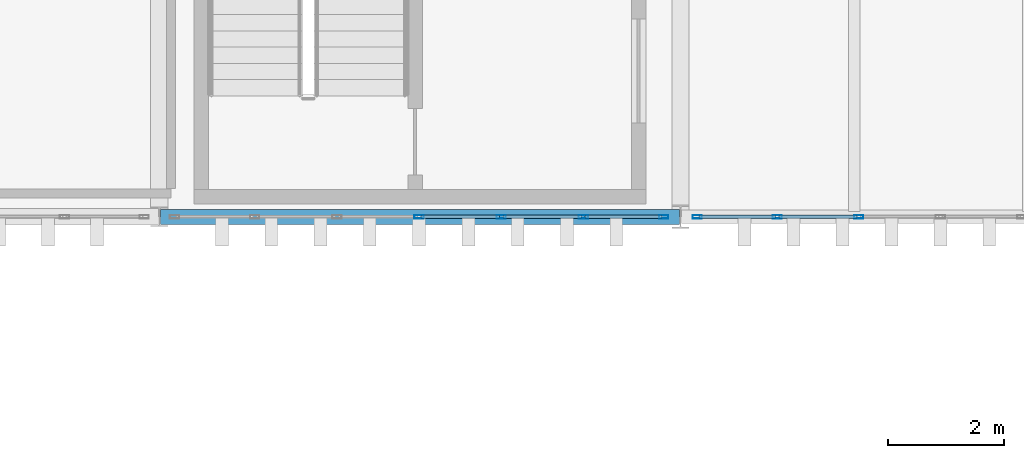
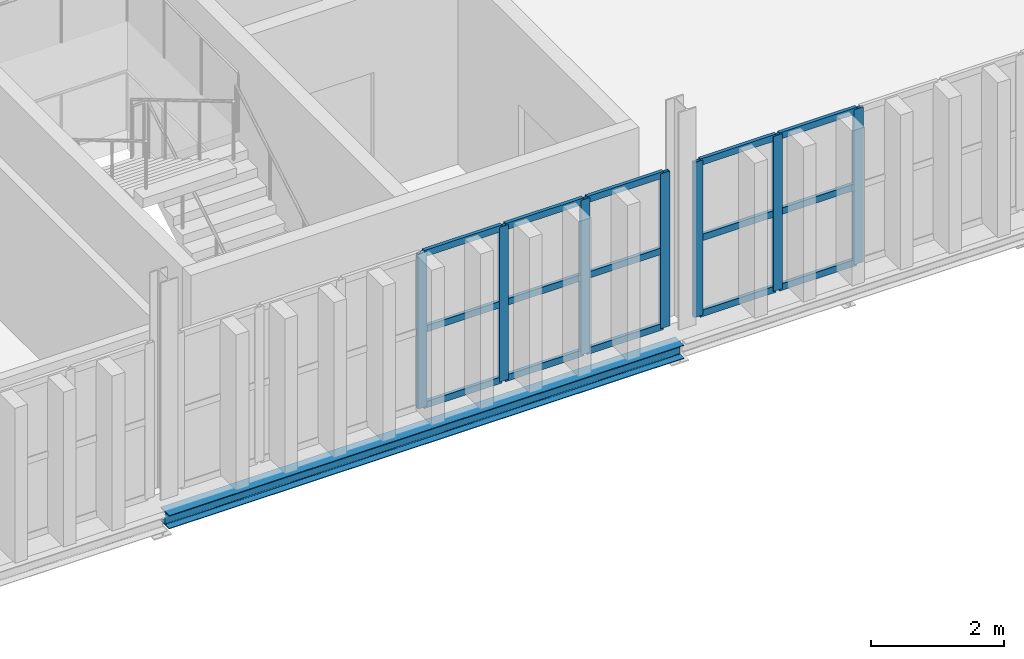
# One storey, part 59 of 102: 22 members, 1 beam, 2 elements without a shape of their own.
"""IFC4 building model written with IfcOpenShell, lengths in metres."""

from ifc_helpers import new_model, si_unit, direction, frame, origin, origin_2d, place, context, subcontext, project, spatial, hollow_rectangle, i_section, extrude, material, layer, layer_set, material_profile, profile_set, type_object, element, aggregate, save


model = new_model("IFC4")

# Units and contexts
model_context = context("Model", 3, precision=1e-05, world=origin(), true_north=direction((0.0, 1.0)))
body_context = subcontext(model_context, "Body", "Model", "MODEL_VIEW")
ifc_project = project(units=[si_unit("LENGTHUNIT", "METRE"), si_unit("AREAUNIT", "SQUARE_METRE"), si_unit("VOLUMEUNIT", "CUBIC_METRE"), si_unit("PLANEANGLEUNIT", "RADIAN"), si_unit("MASSUNIT", "GRAM", prefix="KILO")], contexts=[model_context])

# Site, building, storey
site_placement = place(None, origin())
site = spatial("IfcSite", under=ifc_project, at=site_placement, CompositionType="ELEMENT")
building_placement = place(site_placement, origin())
building = spatial("IfcBuilding", under=site, at=building_placement, Name="Barlavento Convention Centre", CompositionType="ELEMENT")
storey_placement = place(building_placement, frame((0.0, 0.0, 22.800048828125)))
storey = spatial("IfcBuildingStorey", under=building, at=storey_placement, Name="L04", CompositionType="ELEMENT", Elevation=22.800048828125)

# Curtain wall, members
ifc_material_1 = material(Name="Powder-coated aluminium and Low-E glass", Category="aluminium")
ifc_layer = layer(ifc_material_1, 0.179931640625)
ifc_layer_set = layer_set([ifc_layer], Name="ARC-CW-PATIO-B")
curtain_wall_type = type_object("IfcCurtainWallType", Name="ARC-CW-PATIO-B", PredefinedType="NOTDEFINED", material=ifc_layer_set)
curtain_wall_1_placement = place(storey_placement, origin())
curtain_wall_1 = element("IfcCurtainWall", 1, at=curtain_wall_1_placement, inside=storey, type_object=curtain_wall_type, Name="L04 unitised curtain wall CW12", PredefinedType="NOTDEFINED")
ifc_material_2 = material(Name="Powder-coated aluminium", Category="aluminium")
ifc_material_profile_1 = material_profile(ifc_material_2, hollow_rectangle(XDim=0.06005859375, YDim=0.159912109375, WallThickness=0.00390625, at=origin_2d()), Name="AL-MULL 60x160x4")
ifc_profile_set_1 = profile_set([ifc_material_profile_1], Name="Powder-coated aluminium")
member_type_1 = type_object("IfcMemberType", Name="ARC-CWM-60X160", PredefinedType="MULLION", material=ifc_profile_set_1)
member_1_placement = place(storey_placement, frame((148.485107421875, 90.0, 0.0), z_axis=(0.0, 0.0, 1.0), x_axis=(0.0, 1.0, 0.0)))
member_1 = element("IfcMember", 2, at=member_1_placement, type_object=member_type_1, Name="CW12 mullion 4", PredefinedType="MULLION", context=body_context, shape_type="SweptSolid", body=[
    extrude(hollow_rectangle(XDim=0.06005859375, YDim=0.159912109375, WallThickness=0.00390625, at=origin_2d()), origin(), (0.0, 0.0, 1.0), 2.849853515625),
])
member_2_placement = place(storey_placement, frame((149.9033203125, 90.0, 0.0), z_axis=(0.0, 0.0, 1.0), x_axis=(0.0, 1.0, 0.0)))
member_2 = element("IfcMember", 3, at=member_2_placement, type_object=member_type_1, Name="CW12 mullion 5", PredefinedType="MULLION", context=body_context, shape_type="SweptSolid", body=[
    extrude(hollow_rectangle(XDim=0.06005859375, YDim=0.159912109375, WallThickness=0.00390625, at=origin_2d()), origin(), (0.0, 0.0, 1.0), 2.849853515625),
])
member_3_placement = place(storey_placement, frame((151.32177734375, 90.0, 0.0), z_axis=(0.0, 0.0, 1.0), x_axis=(0.0, 1.0, 0.0)))
member_3 = element("IfcMember", 4, at=member_3_placement, type_object=member_type_1, Name="CW12 mullion 6", PredefinedType="MULLION", context=body_context, shape_type="SweptSolid", body=[
    extrude(hollow_rectangle(XDim=0.06005859375, YDim=0.159912109375, WallThickness=0.00390625, at=origin_2d()), origin(), (0.0, 0.0, 1.0), 2.849853515625),
])
member_4_placement = place(storey_placement, frame((152.7099609375, 90.0, 0.0), z_axis=(0.0, 0.0, 1.0), x_axis=(0.0, 1.0, 0.0)))
member_4 = element("IfcMember", 5, at=member_4_placement, type_object=member_type_1, Name="CW12 mullion 7", PredefinedType="MULLION", context=body_context, shape_type="SweptSolid", body=[
    extrude(hollow_rectangle(XDim=0.06005859375, YDim=0.159912109375, WallThickness=0.00390625, at=origin_2d()), origin(), (0.0, 0.0, 1.0), 2.849853515625),
])

curtain_wall_2_placement = place(storey_placement, origin())
curtain_wall_2 = element("IfcCurtainWall", 6, at=curtain_wall_2_placement, inside=storey, type_object=curtain_wall_type, Name="L04 unitised curtain wall CW12", PredefinedType="NOTDEFINED")
member_5_placement = place(storey_placement, frame((153.2900390625, 90.0, 0.0), z_axis=(0.0, 0.0, 1.0), x_axis=(0.0, 1.0, 0.0)))
member_5 = element("IfcMember", 7, at=member_5_placement, type_object=member_type_1, Name="CW12 mullion 1", PredefinedType="MULLION", context=body_context, shape_type="SweptSolid", body=[
    extrude(hollow_rectangle(XDim=0.06005859375, YDim=0.159912109375, WallThickness=0.00390625, at=origin_2d()), origin(), (0.0, 0.0, 1.0), 2.849853515625),
])
member_6_placement = place(storey_placement, frame((154.669189453125, 90.0, 0.0), z_axis=(0.0, 0.0, 1.0), x_axis=(0.0, 1.0, 0.0)))
member_6 = element("IfcMember", 8, at=member_6_placement, type_object=member_type_1, Name="CW12 mullion 2", PredefinedType="MULLION", context=body_context, shape_type="SweptSolid", body=[
    extrude(hollow_rectangle(XDim=0.06005859375, YDim=0.159912109375, WallThickness=0.00390625, at=origin_2d()), origin(), (0.0, 0.0, 1.0), 2.849853515625),
])
member_7_placement = place(storey_placement, frame((156.078369140625, 90.0, 0.0), z_axis=(0.0, 0.0, 1.0), x_axis=(0.0, 1.0, 0.0)))
member_7 = element("IfcMember", 9, at=member_7_placement, type_object=member_type_1, Name="CW12 mullion 3", PredefinedType="MULLION", context=body_context, shape_type="SweptSolid", body=[
    extrude(hollow_rectangle(XDim=0.06005859375, YDim=0.159912109375, WallThickness=0.00390625, at=origin_2d()), origin(), (0.0, 0.0, 1.0), 2.849853515625),
])

# Member
ifc_material_profile_2 = material_profile(ifc_material_2, hollow_rectangle(XDim=0.06005859375, YDim=0.1201171875, WallThickness=0.00390625, at=origin_2d()), Name="AL-TRAN 60x120x4")
ifc_profile_set_2 = profile_set([ifc_material_profile_2], Name="Powder-coated aluminium")
member_type_2 = type_object("IfcMemberType", Name="ARC-CWT-60X120", PredefinedType="USERDEFINED", material=ifc_profile_set_2)
member_8_placement = place(storey_placement, frame((148.514892578125, 90.0, 0.030029296875), z_axis=(1.0, 0.0, 0.0), x_axis=(0.0, 1.0, 0.0)))
member_8 = element("IfcMember", 10, at=member_8_placement, type_object=member_type_2, Name="CW12 transom 4.1", ObjectType="TRANSOM", PredefinedType="USERDEFINED", context=body_context, shape_type="SweptSolid", body=[
    extrude(hollow_rectangle(XDim=0.06005859375, YDim=0.1201171875, WallThickness=0.00390625, at=origin_2d()), origin(), (0.0, 0.0, 1.0), 1.3583984375),
])

member_9_placement = place(storey_placement, frame((148.514892578125, 90.0, 1.425048828125), z_axis=(1.0, 0.0, 0.0), x_axis=(0.0, 1.0, 0.0)))
member_9 = element("IfcMember", 11, at=member_9_placement, type_object=member_type_2, Name="CW12 transom 4.2", ObjectType="TRANSOM", PredefinedType="USERDEFINED", context=body_context, shape_type="SweptSolid", body=[
    extrude(hollow_rectangle(XDim=0.06005859375, YDim=0.1201171875, WallThickness=0.00390625, at=origin_2d()), origin(), (0.0, 0.0, 1.0), 1.3583984375),
])

member_10_placement = place(storey_placement, frame((148.514892578125, 90.0, 2.820068359375), z_axis=(1.0, 0.0, 0.0), x_axis=(0.0, 1.0, 0.0)))
member_10 = element("IfcMember", 12, at=member_10_placement, type_object=member_type_2, Name="CW12 transom 4.3", ObjectType="TRANSOM", PredefinedType="USERDEFINED", context=body_context, shape_type="SweptSolid", body=[
    extrude(hollow_rectangle(XDim=0.06005859375, YDim=0.1201171875, WallThickness=0.00390625, at=origin_2d()), origin(), (0.0, 0.0, 1.0), 1.3583984375),
])

member_11_placement = place(storey_placement, frame((149.933349609375, 90.0, 0.030029296875), z_axis=(1.0, 0.0, 0.0), x_axis=(0.0, 1.0, 0.0)))
member_11 = element("IfcMember", 13, at=member_11_placement, type_object=member_type_2, Name="CW12 transom 5.1", ObjectType="TRANSOM", PredefinedType="USERDEFINED", context=body_context, shape_type="SweptSolid", body=[
    extrude(hollow_rectangle(XDim=0.06005859375, YDim=0.1201171875, WallThickness=0.00390625, at=origin_2d()), origin(), (0.0, 0.0, 1.0), 1.3583984375),
])

member_12_placement = place(storey_placement, frame((149.933349609375, 90.0, 1.425048828125), z_axis=(1.0, 0.0, 0.0), x_axis=(0.0, 1.0, 0.0)))
member_12 = element("IfcMember", 14, at=member_12_placement, type_object=member_type_2, Name="CW12 transom 5.2", ObjectType="TRANSOM", PredefinedType="USERDEFINED", context=body_context, shape_type="SweptSolid", body=[
    extrude(hollow_rectangle(XDim=0.06005859375, YDim=0.1201171875, WallThickness=0.00390625, at=origin_2d()), origin(), (0.0, 0.0, 1.0), 1.3583984375),
])

member_13_placement = place(storey_placement, frame((149.933349609375, 90.0, 2.820068359375), z_axis=(1.0, 0.0, 0.0), x_axis=(0.0, 1.0, 0.0)))
member_13 = element("IfcMember", 15, at=member_13_placement, type_object=member_type_2, Name="CW12 transom 5.3", ObjectType="TRANSOM", PredefinedType="USERDEFINED", context=body_context, shape_type="SweptSolid", body=[
    extrude(hollow_rectangle(XDim=0.06005859375, YDim=0.1201171875, WallThickness=0.00390625, at=origin_2d()), origin(), (0.0, 0.0, 1.0), 1.3583984375),
])

member_14_placement = place(storey_placement, frame((151.3515625, 90.0, 0.030029296875), z_axis=(1.0, 0.0, 0.0), x_axis=(0.0, 1.0, 0.0)))
member_14 = element("IfcMember", 16, at=member_14_placement, type_object=member_type_2, Name="CW12 transom 6.1", ObjectType="TRANSOM", PredefinedType="USERDEFINED", context=body_context, shape_type="SweptSolid", body=[
    extrude(hollow_rectangle(XDim=0.06005859375, YDim=0.1201171875, WallThickness=0.00390625, at=origin_2d()), origin(), (0.0, 0.0, 1.0), 1.328369140625),
])

member_15_placement = place(storey_placement, frame((151.3515625, 90.0, 1.425048828125), z_axis=(1.0, 0.0, 0.0), x_axis=(0.0, 1.0, 0.0)))
member_15 = element("IfcMember", 17, at=member_15_placement, type_object=member_type_2, Name="CW12 transom 6.2", ObjectType="TRANSOM", PredefinedType="USERDEFINED", context=body_context, shape_type="SweptSolid", body=[
    extrude(hollow_rectangle(XDim=0.06005859375, YDim=0.1201171875, WallThickness=0.00390625, at=origin_2d()), origin(), (0.0, 0.0, 1.0), 1.328369140625),
])

member_16_placement = place(storey_placement, frame((151.3515625, 90.0, 2.820068359375), z_axis=(1.0, 0.0, 0.0), x_axis=(0.0, 1.0, 0.0)))
member_16 = element("IfcMember", 18, at=member_16_placement, type_object=member_type_2, Name="CW12 transom 6.3", ObjectType="TRANSOM", PredefinedType="USERDEFINED", context=body_context, shape_type="SweptSolid", body=[
    extrude(hollow_rectangle(XDim=0.06005859375, YDim=0.1201171875, WallThickness=0.00390625, at=origin_2d()), origin(), (0.0, 0.0, 1.0), 1.328369140625),
])

aggregate(curtain_wall_1, [member_1, member_2, member_3, member_4, member_8, member_9, member_10, member_11, member_12, member_13, member_14, member_15, member_16])

member_17_placement = place(storey_placement, frame((153.320068359375, 90.0, 0.030029296875), z_axis=(1.0, 0.0, 0.0), x_axis=(0.0, 1.0, 0.0)))
member_17 = element("IfcMember", 19, at=member_17_placement, type_object=member_type_2, Name="CW12 transom 1.1", ObjectType="TRANSOM", PredefinedType="USERDEFINED", context=body_context, shape_type="SweptSolid", body=[
    extrude(hollow_rectangle(XDim=0.06005859375, YDim=0.1201171875, WallThickness=0.00390625, at=origin_2d()), origin(), (0.0, 0.0, 1.0), 1.319091796875),
])

member_18_placement = place(storey_placement, frame((153.320068359375, 90.0, 1.425048828125), z_axis=(1.0, 0.0, 0.0), x_axis=(0.0, 1.0, 0.0)))
member_18 = element("IfcMember", 20, at=member_18_placement, type_object=member_type_2, Name="CW12 transom 1.2", ObjectType="TRANSOM", PredefinedType="USERDEFINED", context=body_context, shape_type="SweptSolid", body=[
    extrude(hollow_rectangle(XDim=0.06005859375, YDim=0.1201171875, WallThickness=0.00390625, at=origin_2d()), origin(), (0.0, 0.0, 1.0), 1.319091796875),
])

member_19_placement = place(storey_placement, frame((153.320068359375, 90.0, 2.820068359375), z_axis=(1.0, 0.0, 0.0), x_axis=(0.0, 1.0, 0.0)))
member_19 = element("IfcMember", 21, at=member_19_placement, type_object=member_type_2, Name="CW12 transom 1.3", ObjectType="TRANSOM", PredefinedType="USERDEFINED", context=body_context, shape_type="SweptSolid", body=[
    extrude(hollow_rectangle(XDim=0.06005859375, YDim=0.1201171875, WallThickness=0.00390625, at=origin_2d()), origin(), (0.0, 0.0, 1.0), 1.319091796875),
])

member_20_placement = place(storey_placement, frame((154.69921875, 90.0, 0.030029296875), z_axis=(1.0, 0.0, 0.0), x_axis=(0.0, 1.0, 0.0)))
member_20 = element("IfcMember", 22, at=member_20_placement, type_object=member_type_2, Name="CW12 transom 2.1", ObjectType="TRANSOM", PredefinedType="USERDEFINED", context=body_context, shape_type="SweptSolid", body=[
    extrude(hollow_rectangle(XDim=0.06005859375, YDim=0.1201171875, WallThickness=0.00390625, at=origin_2d()), origin(), (0.0, 0.0, 1.0), 1.34912109375),
])

member_21_placement = place(storey_placement, frame((154.69921875, 90.0, 1.425048828125), z_axis=(1.0, 0.0, 0.0), x_axis=(0.0, 1.0, 0.0)))
member_21 = element("IfcMember", 23, at=member_21_placement, type_object=member_type_2, Name="CW12 transom 2.2", ObjectType="TRANSOM", PredefinedType="USERDEFINED", context=body_context, shape_type="SweptSolid", body=[
    extrude(hollow_rectangle(XDim=0.06005859375, YDim=0.1201171875, WallThickness=0.00390625, at=origin_2d()), origin(), (0.0, 0.0, 1.0), 1.34912109375),
])

member_22_placement = place(storey_placement, frame((154.69921875, 90.0, 2.820068359375), z_axis=(1.0, 0.0, 0.0), x_axis=(0.0, 1.0, 0.0)))
member_22 = element("IfcMember", 24, at=member_22_placement, type_object=member_type_2, Name="CW12 transom 2.3", ObjectType="TRANSOM", PredefinedType="USERDEFINED", context=body_context, shape_type="SweptSolid", body=[
    extrude(hollow_rectangle(XDim=0.06005859375, YDim=0.1201171875, WallThickness=0.00390625, at=origin_2d()), origin(), (0.0, 0.0, 1.0), 1.34912109375),
])

aggregate(curtain_wall_2, [member_5, member_6, member_7, member_17, member_18, member_19, member_20, member_21, member_22])

# Beam
ifc_material_3 = material(Name="Steel S355", Category="steel")
ifc_material_profile_3 = material_profile(ifc_material_3, i_section(OverallWidth=0.260009765625, OverallDepth=0.25, WebThickness=0.007568359375, FlangeThickness=0.012451171875, FilletRadius=0.02392578125, at=origin_2d()), Name="HEA 260")
ifc_profile_set_3 = profile_set([ifc_material_profile_3], Name="Steel S355")
beam_type = type_object("IfcBeamType", Name="STR-BM-SPN-HEA260", PredefinedType="SPANDREL", material=ifc_profile_set_3)
beam_placement = place(storey_placement, frame((144.02001953125, 90.0, -0.485107421875), z_axis=(1.0, 0.0, 0.0), x_axis=(0.0, 1.0, 0.0)))
element("IfcBeam", 25, at=beam_placement, inside=storey, type_object=beam_type, Name="L04 primary girder SP04", PredefinedType="SPANDREL", context=body_context, shape_type="SweptSolid", body=[
    extrude(i_section(OverallWidth=0.260009765625, OverallDepth=0.25, WebThickness=0.007568359375, FlangeThickness=0.012451171875, FilletRadius=0.02392578125, at=origin_2d()), origin(), (0.0, 0.0, 1.0), 8.9599609375),
])

save(model, "model.ifc")
